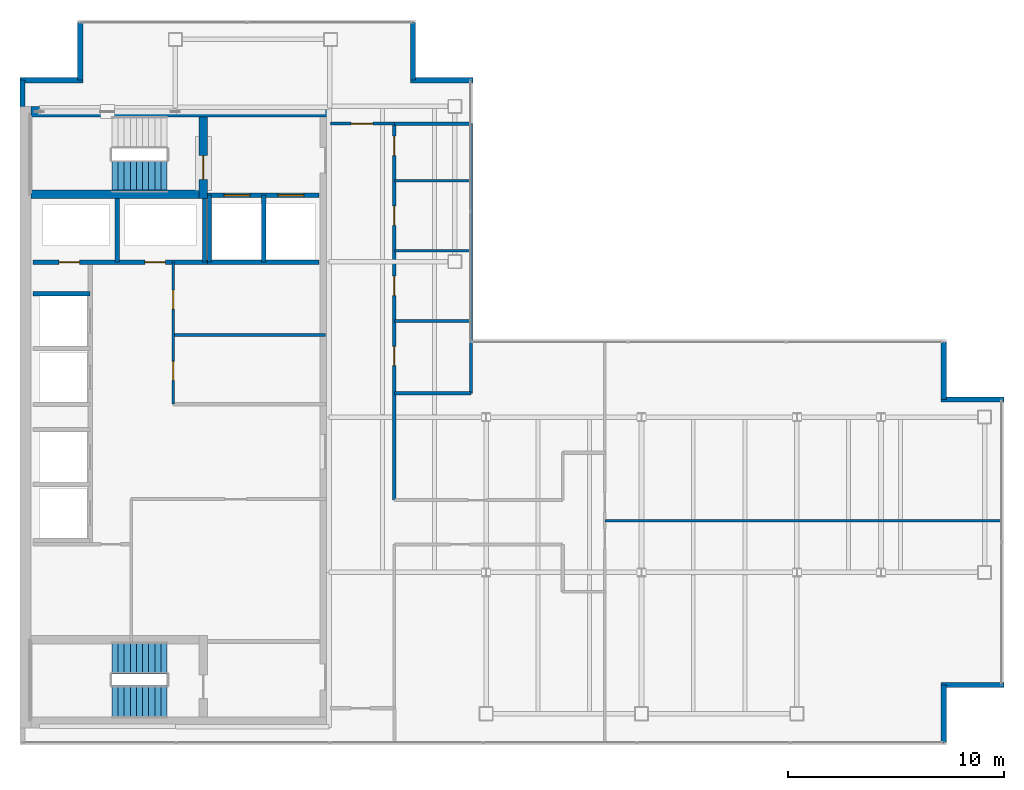
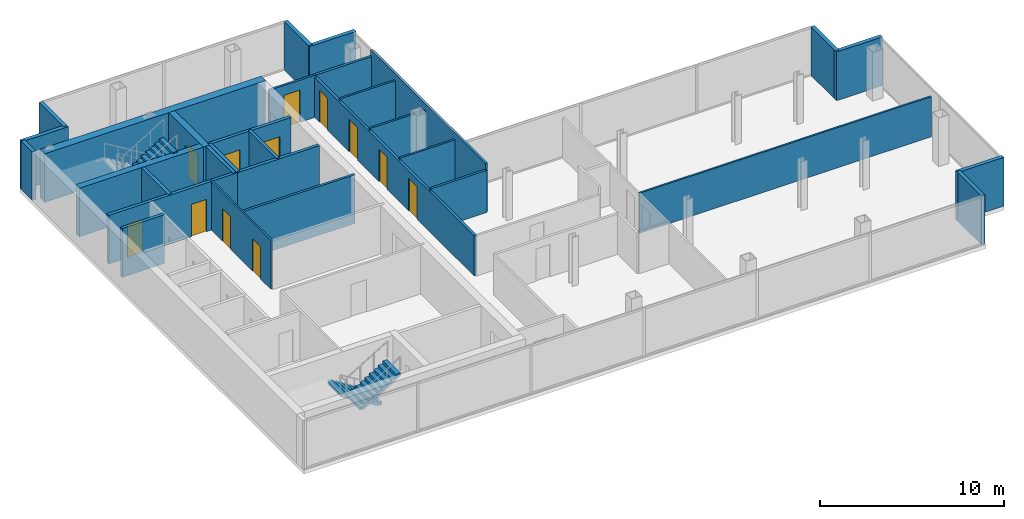
# One storey, part 21 of 23: 31 walls, 12 doors, 3 stair flights, 12 openings, 2 elements without a shape of their own.
"""IFC4 building model written with IfcOpenShell, lengths in metres."""

from ifc_helpers import new_model, si_unit, direction, frame, frame_2d, origin, place, context, subcontext, project, spatial, polyline, rectangle, outline, extrude, material, layer, layer_set, type_object, element, fill, aggregate, save


model = new_model("IFC4")

# Units and contexts
model_context = context("Model", 3, precision=1e-05, world=origin(), true_north=direction((0.0, 1.0)))
body_context = subcontext(model_context, "Body", "Model", "MODEL_VIEW")
ifc_project = project(units=[si_unit("LENGTHUNIT", "METRE"), si_unit("AREAUNIT", "SQUARE_METRE"), si_unit("VOLUMEUNIT", "CUBIC_METRE"), si_unit("PLANEANGLEUNIT", "RADIAN"), si_unit("MASSUNIT", "GRAM", prefix="KILO")], contexts=[model_context])

# Site, building, storey
site_placement = place(None, origin())
site = spatial("IfcSite", under=ifc_project, at=site_placement, CompositionType="ELEMENT")
building_placement = place(site_placement, origin())
building = spatial("IfcBuilding", under=site, at=building_placement, Name="Cobrela Telecom Tower", CompositionType="ELEMENT")
storey_placement = place(building_placement, frame((0.0, 0.0, 283.14990234375)))
storey = spatial("IfcBuildingStorey", under=building, at=storey_placement, Name="L74", CompositionType="ELEMENT", Elevation=283.14990234375)

# Walls
ifc_material_1 = material(Name="Concrete C40/50", Category="concrete")
ifc_layer_1 = layer(ifc_material_1, 0.5)
ifc_layer_set_1 = layer_set([ifc_layer_1], Name="Concrete C40/50")
wall_type_1 = type_object("IfcWallType", Name="WALL-CORE-C40-500", PredefinedType="SHEAR", material=ifc_layer_set_1)
wall_1_placement = place(storey_placement, frame((0.5, 35.75, 0.0), z_axis=(0.0, 0.0, 1.0), x_axis=(1.0, 0.0, 0.0)))
element("IfcWall", 1, at=wall_1_placement, inside=storey, type_object=wall_type_1, Name="L74 North Core Shear Wall", PredefinedType="SHEAR", context=body_context, shape_type="SweptSolid", body=[
    extrude(rectangle(XDim=13.89990234375, YDim=0.5, at=frame_2d((6.949951171875, 0.0))), origin(), (0.0, 0.0, 1.0), 3.239990234375),
])
ifc_layer_2 = layer(ifc_material_1, 0.239990234375)
ifc_layer_set_2 = layer_set([ifc_layer_2], Name="Concrete C40/50")
wall_type_2 = type_object("IfcWallType", Name="WALL-EXT-300", PredefinedType="STANDARD", material=ifc_layer_set_2)
wall_2_placement = place(storey_placement, frame((0.1201171875, 36.0, 0.0), z_axis=(0.0, 0.0, 1.0), x_axis=(0.0, 1.0, 0.0)))
element("IfcWall", 2, at=wall_2_placement, inside=storey, type_object=wall_type_2, Name="L74 Insulated Facade Wall 02", PredefinedType="STANDARD", context=body_context, shape_type="SweptSolid", body=[
    extrude(rectangle(XDim=1.2099609375, YDim=0.239990234375, at=frame_2d((0.60498046875, 0.0))), origin(), (0.0, 0.0, 1.0), 3.239990234375),
])
wall_3_placement = place(storey_placement, frame((0.0, 37.2099609375, 0.0), z_axis=(0.0, 0.0, 1.0), x_axis=(1.0, 0.0, 0.0)))
element("IfcWall", 3, at=wall_3_placement, inside=storey, type_object=wall_type_2, Name="L74 Insulated Facade Wall 03", PredefinedType="STANDARD", context=body_context, shape_type="SweptSolid", body=[
    extrude(rectangle(XDim=2.909912109375, YDim=0.239990234375, at=frame_2d((1.455078125, 0.0))), origin(), (0.0, 0.0, 1.0), 3.239990234375),
])
for number, where, z_axis, x_axis, name in (
    (4, (2.7900390625, 37.2099609375, 0.0), (0.0, 0.0, 1.0), (0.0, 1.0, 0.0), "L74 Insulated Facade Wall 04"),
    (5, (18.2099609375, 39.8798828125, 0.0), (0.0, 0.0, 1.0), (0.0, -1.0, 0.0), "L74 Insulated Facade Wall 06"),
):
    element("IfcWall", number, at=place(storey_placement, frame(where, z_axis=z_axis, x_axis=x_axis)), inside=storey, type_object=wall_type_2, Name=name, PredefinedType="STANDARD", context=body_context, shape_type="SweptSolid", body=[
        extrude(rectangle(XDim=2.669921875, YDim=0.239990234375, at=frame_2d((1.3349609375, 0.0))), origin(), (0.0, 0.0, 1.0), 3.239990234375),
    ])
wall_4_placement = place(storey_placement, frame((18.090087890625, 37.2099609375, 0.0), z_axis=(0.0, 0.0, 1.0), x_axis=(1.0, 0.0, 0.0)))
element("IfcWall", 6, at=wall_4_placement, inside=storey, type_object=wall_type_2, Name="L74 Insulated Facade Wall 07", PredefinedType="STANDARD", context=body_context, shape_type="SweptSolid", body=[
    extrude(rectangle(XDim=2.909912109375, YDim=0.239990234375, at=frame_2d((1.455078125, 0.0))), origin(), (0.0, 0.0, 1.0), 3.239990234375),
])
wall_5_placement = place(storey_placement, frame((42.81005859375, 25.080078125, 0.0), z_axis=(0.0, 0.0, 1.0), x_axis=(0.0, -1.0, 0.0)))
element("IfcWall", 7, at=wall_5_placement, inside=storey, type_object=wall_type_2, Name="L74 Insulated Facade Wall 10", PredefinedType="STANDARD", context=body_context, shape_type="SweptSolid", body=[
    extrude(rectangle(XDim=2.670166015625, YDim=0.239990234375, at=frame_2d((1.3349609375, 0.0))), origin(), (0.0, 0.0, 1.0), 3.239990234375),
])
for number, where, z_axis, x_axis, name in (
    (8, (42.68994140625, 22.409912109375, 0.0), (0.0, 0.0, 1.0), (1.0, 0.0, 0.0), "L74 Insulated Facade Wall 11"),
    (9, (45.60009765625, 9.18994140625, 0.0), (0.0, 0.0, 1.0), (-1.0, 0.0, 0.0), "L74 Insulated Facade Wall 13"),
):
    element("IfcWall", number, at=place(storey_placement, frame(where, z_axis=z_axis, x_axis=x_axis)), inside=storey, type_object=wall_type_2, Name=name, PredefinedType="STANDARD", context=body_context, shape_type="SweptSolid", body=[
        extrude(rectangle(XDim=2.91015625, YDim=0.239990234375, at=frame_2d((1.455078125, 0.0))), origin(), (0.0, 0.0, 1.0), 3.239990234375),
    ])
wall_6_placement = place(storey_placement, frame((42.81005859375, 9.18994140625, 0.0), z_axis=(0.0, 0.0, 1.0), x_axis=(0.0, -1.0, 0.0)))
element("IfcWall", 10, at=wall_6_placement, inside=storey, type_object=wall_type_2, Name="L74 Insulated Facade Wall 14", PredefinedType="STANDARD", context=body_context, shape_type="SweptSolid", body=[
    extrude(rectangle(XDim=2.669921875, YDim=0.239990234375, at=frame_2d((1.3349609375, 0.0))), origin(), (0.0, 0.0, 1.0), 3.239990234375),
])

# Wall, openings, doors
ifc_material_2 = material(Name="Fire-Rated Gypsum Plasterboard")
ifc_layer_3 = layer(ifc_material_2, 0.110107421875)
ifc_layer_set_3 = layer_set([ifc_layer_3], Name="Fire-Rated Gypsum Plasterboard")
wall_type_3 = type_object("IfcWallType", Name="WALL-PART-110", PredefinedType="PARTITIONING", material=ifc_layer_set_3)
wall_7_placement = place(storey_placement, frame((7.10009765625, 22.199951171875, 0.0), z_axis=(0.0, 0.0, 1.0), x_axis=(0.0, 1.0, 0.0)))
wall_7 = element("IfcWall", 11, at=wall_7_placement, inside=storey, type_object=wall_type_3, Name="L74 Interior Partition CW-RECL-W", PredefinedType="PARTITIONING", context=body_context, shape_type="SweptSolid", body=[
    extrude(rectangle(XDim=6.580078125, YDim=0.110107421875, at=frame_2d((3.2900390625, 0.0))), origin(), (0.0, 0.0, 1.0), 3.239990234375),
])
opening_1_placement = place(wall_7_placement, frame((1.10009765625, 0.0, 0.0)))
opening_1 = element("IfcOpeningElement", 12, at=opening_1_placement, cuts=wall_7, Name="Opening DR-39", PredefinedType="OPENING", context=body_context, shape_type="SweptSolid", body=[
    extrude(rectangle(XDim=0.8798828125, YDim=2.14990234375, at=frame_2d((0.43994140625, 1.074951171875))), frame((0.0, 0.06689453125, 0.0), z_axis=(0.0, -1.0, 0.0), x_axis=(1.0, 0.0, 0.0)), (0.0, 0.0, 1.0), 0.134033203125),
])
opening_2_placement = place(wall_7_placement, frame((4.39990234375, 0.0, 0.0)))
opening_2 = element("IfcOpeningElement", 13, at=opening_2_placement, cuts=wall_7, Name="Opening DR-39", PredefinedType="OPENING", context=body_context, shape_type="SweptSolid", body=[
    extrude(rectangle(XDim=0.8798828125, YDim=2.14990234375, at=frame_2d((0.43994140625, 1.074951171875))), frame((0.0, 0.06689453125, 0.0), z_axis=(0.0, -1.0, 0.0), x_axis=(1.0, 0.0, 0.0)), (0.0, 0.0, 1.0), 0.134033203125),
])
ifc_material_3 = material(Name="Solid Engineered Oak Timber", Category="wood")
door_type_1 = type_object("IfcDoorType", Name="DOOR-INT-880", OperationType="SINGLE_SWING_LEFT", PredefinedType="DOOR", material=ifc_material_3)
door_1_placement = place(opening_1_placement, origin())
door_1 = element("IfcDoor", 14, at=door_1_placement, inside=storey, type_object=door_type_1, Name="L74 Door DR-39", OperationType="SINGLE_SWING_RIGHT", OverallHeight=2.14990234375, OverallWidth=0.8798828125, PredefinedType="DOOR", context=body_context, shape_type="SweptSolid", body=[
    extrude(rectangle(XDim=0.8798828125, YDim=2.14990234375, at=frame_2d((0.43994140625, 1.074951171875))), frame((0.0, 0.02490234375, 0.0), z_axis=(0.0, -1.0, 0.0), x_axis=(1.0, 0.0, 0.0)), (0.0, 0.0, 1.0), 0.050048828125),
])
fill(opening_1, door_1)
door_2_placement = place(opening_2_placement, origin())
door_2 = element("IfcDoor", 15, at=door_2_placement, inside=storey, type_object=door_type_1, Name="L74 Door DR-39", OperationType="SINGLE_SWING_LEFT", OverallHeight=2.14990234375, OverallWidth=0.8798828125, PredefinedType="DOOR", context=body_context, shape_type="SweptSolid", body=[
    extrude(rectangle(XDim=0.8798828125, YDim=2.14990234375, at=frame_2d((0.43994140625, 1.074951171875))), frame((0.0, 0.02490234375, 0.0), z_axis=(0.0, -1.0, 0.0), x_axis=(1.0, 0.0, 0.0)), (0.0, 0.0, 1.0), 0.050048828125),
])
fill(opening_2, door_2)

# Walls
wall_8_placement = place(storey_placement, frame((27.10009765625, 16.800048828125, 0.0), z_axis=(0.0, 0.0, 1.0), x_axis=(1.0, 0.0, 0.0)))
element("IfcWall", 16, at=wall_8_placement, inside=storey, type_object=wall_type_3, Name="L74 Interior Partition W-FE-H", PredefinedType="PARTITIONING", context=body_context, shape_type="SweptSolid", body=[
    extrude(rectangle(XDim=18.3798828125, YDim=0.110107421875, at=frame_2d((9.18994140625, 0.0))), origin(), (0.0, 0.0, 1.0), 2.676025390625),
])
ifc_layer_4 = layer(ifc_material_2, 0.125)
ifc_layer_set_4 = layer_set([ifc_layer_4], Name="Fire-Rated Gypsum Plasterboard")
wall_type_4 = type_object("IfcWallType", Name="WALL-PART-125", PredefinedType="PARTITIONING", material=ifc_layer_set_4)
for number, where, z_axis, x_axis, name in (
    (17, (17.35009765625, 26.050048828125, 0.0), (0.0, 0.0, 1.0), (1.0, 0.0, 0.0), "L74 Interior Partition W-WCD-1"),
    (18, (17.35009765625, 29.300048828125, 0.0), (0.0, 0.0, 1.0), (1.0, 0.0, 0.0), "L74 Interior Partition W-WCD-2"),
    (19, (17.35009765625, 32.550048828125, 0.0), (0.0, 0.0, 1.0), (1.0, 0.0, 0.0), "L74 Interior Partition W-WCD-3"),
):
    element("IfcWall", number, at=place(storey_placement, frame(where, z_axis=z_axis, x_axis=x_axis)), inside=storey, type_object=wall_type_4, Name=name, PredefinedType="PARTITIONING", context=body_context, shape_type="SweptSolid", body=[
        extrude(rectangle(XDim=3.5498046875, YDim=0.125, at=frame_2d((1.77490234375, 0.0))), origin(), (0.0, 0.0, 1.0), 2.80810546875),
    ])

# Wall, opening, door
ifc_layer_5 = layer(ifc_material_2, 0.135009765625)
ifc_layer_set_5 = layer_set([ifc_layer_5], Name="Fire-Rated Gypsum Plasterboard")
wall_type_5 = type_object("IfcWallType", Name="WALL-PART-135", PredefinedType="PARTITIONING", material=ifc_layer_set_5)
wall_9_placement = place(storey_placement, frame((14.39990234375, 35.199951171875, 0.0), z_axis=(0.0, 0.0, 1.0), x_axis=(1.0, 0.0, 0.0)))
wall_9 = element("IfcWall", 20, at=wall_9_placement, inside=storey, type_object=wall_type_5, Name="L74 Interior Partition W-C-N0", PredefinedType="PARTITIONING", context=body_context, shape_type="SweptSolid", body=[
    extrude(rectangle(XDim=2.9501953125, YDim=0.135009765625, at=frame_2d((1.47509765625, 0.0))), origin(), (0.0, 0.0, 1.0), 2.80810546875),
])
opening_3_placement = place(wall_9_placement, frame((0.949951171875, 0.0, 0.0)))
opening_3 = element("IfcOpeningElement", 21, at=opening_3_placement, cuts=wall_9, Name="Opening DR-31", PredefinedType="OPENING", context=body_context, shape_type="SweptSolid", body=[
    extrude(rectangle(XDim=1.0, YDim=2.14990234375, at=frame_2d((0.5, 1.074951171875))), frame((0.0, 0.07958984375, 0.0), z_axis=(0.0, -1.0, 0.0), x_axis=(1.0, 0.0, 0.0)), (0.0, 0.0, 1.0), 0.158935546875),
])
door_type_2 = type_object("IfcDoorType", Name="DOOR-INT-1000", OperationType="SINGLE_SWING_LEFT", PredefinedType="DOOR", material=ifc_material_3)
door_3_placement = place(opening_3_placement, origin())
door_3 = element("IfcDoor", 22, at=door_3_placement, inside=storey, type_object=door_type_2, Name="L74 Door DR-31", OperationType="SINGLE_SWING_LEFT", OverallHeight=2.14990234375, OverallWidth=1.0, PredefinedType="DOOR", context=body_context, shape_type="SweptSolid", body=[
    extrude(rectangle(XDim=1.0, YDim=2.14990234375, at=frame_2d((0.5, 1.074951171875))), frame((0.0, 0.02490234375, 0.0), z_axis=(0.0, -1.0, 0.0), x_axis=(1.0, 0.0, 0.0)), (0.0, 0.0, 1.0), 0.050048828125),
])
fill(opening_3, door_3)

# Walls
wall_10_placement = place(storey_placement, frame((20.89990234375, 22.699951171875, 0.0), z_axis=(0.0, 0.0, 1.0), x_axis=(0.0, 1.0, 0.0)))
element("IfcWall", 23, at=wall_10_placement, inside=storey, type_object=wall_type_5, Name="L74 Interior Partition W-WC-E", PredefinedType="PARTITIONING", context=body_context, shape_type="SweptSolid", body=[
    extrude(rectangle(XDim=12.5, YDim=0.135009765625, at=frame_2d((6.25, 0.0))), origin(), (0.0, 0.0, 1.0), 3.239990234375),
])
ifc_layer_6 = layer(ifc_material_2, 0.14990234375)
ifc_layer_set_6 = layer_set([ifc_layer_6], Name="Fire-Rated Gypsum Plasterboard")
wall_type_6 = type_object("IfcWallType", Name="WALL-PART-150", PredefinedType="PARTITIONING", material=ifc_layer_set_6)
wall_11_placement = place(storey_placement, frame((7.10009765625, 25.39990234375, 0.0), z_axis=(0.0, 0.0, 1.0), x_axis=(1.0, 0.0, 0.0)))
element("IfcWall", 24, at=wall_11_placement, inside=storey, type_object=wall_type_6, Name="L74 Interior Partition CW-RECL-H", PredefinedType="PARTITIONING", context=body_context, shape_type="SweptSolid", body=[
    extrude(rectangle(XDim=7.0498046875, YDim=0.14990234375, at=frame_2d((3.52490234375, 0.0))), origin(), (0.0, 0.0, 1.0), 3.239990234375),
])
wall_12_placement = place(storey_placement, frame((17.35009765625, 22.699951171875, 0.0), z_axis=(0.0, 0.0, 1.0), x_axis=(1.0, 0.0, 0.0)))
element("IfcWall", 25, at=wall_12_placement, inside=storey, type_object=wall_type_6, Name="L74 Interior Partition W-WC-S", PredefinedType="PARTITIONING", context=body_context, shape_type="SweptSolid", body=[
    extrude(rectangle(XDim=3.5498046875, YDim=0.14990234375, at=frame_2d((1.77490234375, 0.0))), origin(), (0.0, 0.0, 1.0), 2.80810546875),
])

# Wall, openings, doors
ifc_layer_7 = layer(ifc_material_2, 0.159912109375)
ifc_layer_set_7 = layer_set([ifc_layer_7], Name="Fire-Rated Gypsum Plasterboard")
wall_type_7 = type_object("IfcWallType", Name="WALL-PART-160", PredefinedType="PARTITIONING", material=ifc_layer_set_7)
wall_13_placement = place(storey_placement, frame((17.35009765625, 17.75, 0.0), z_axis=(0.0, 0.0, 1.0), x_axis=(0.0, 1.0, 0.0)))
wall_13 = element("IfcWall", 26, at=wall_13_placement, inside=storey, type_object=wall_type_7, Name="L74 Interior Partition W-C-E2", PredefinedType="PARTITIONING", context=body_context, shape_type="SweptSolid", body=[
    extrude(rectangle(XDim=17.449951171875, YDim=0.159912109375, at=frame_2d((8.72509765625, 0.0))), origin(), (0.0, 0.0, 1.0), 2.676025390625),
])
opening_4_placement = place(wall_13_placement, frame((6.22998046875, 0.0, 0.0)))
opening_4 = element("IfcOpeningElement", 27, at=opening_4_placement, cuts=wall_13, Name="Opening DR-41", PredefinedType="OPENING", context=body_context, shape_type="SweptSolid", body=[
    extrude(rectangle(XDim=0.89990234375, YDim=2.14990234375, at=frame_2d((0.449951171875, 1.074951171875))), frame((0.0, 0.091796875, 0.0), z_axis=(0.0, -1.0, 0.0), x_axis=(1.0, 0.0, 0.0)), (0.0, 0.0, 1.0), 0.183837890625),
])
opening_5_placement = place(wall_13_placement, frame((9.47998046875, 0.0, 0.0)))
opening_5 = element("IfcOpeningElement", 28, at=opening_5_placement, cuts=wall_13, Name="Opening DR-41", PredefinedType="OPENING", context=body_context, shape_type="SweptSolid", body=[
    extrude(rectangle(XDim=0.89990234375, YDim=2.14990234375, at=frame_2d((0.449951171875, 1.074951171875))), frame((0.0, 0.091796875, 0.0), z_axis=(0.0, -1.0, 0.0), x_axis=(1.0, 0.0, 0.0)), (0.0, 0.0, 1.0), 0.183837890625),
])
opening_6_placement = place(wall_13_placement, frame((12.72998046875, 0.0, 0.0)))
opening_6 = element("IfcOpeningElement", 29, at=opening_6_placement, cuts=wall_13, Name="Opening DR-41", PredefinedType="OPENING", context=body_context, shape_type="SweptSolid", body=[
    extrude(rectangle(XDim=0.89990234375, YDim=2.14990234375, at=frame_2d((0.449951171875, 1.074951171875))), frame((0.0, 0.091796875, 0.0), z_axis=(0.0, -1.0, 0.0), x_axis=(1.0, 0.0, 0.0)), (0.0, 0.0, 1.0), 0.183837890625),
])
opening_7_placement = place(wall_13_placement, frame((15.969970703125, 0.0, 0.0)))
opening_7 = element("IfcOpeningElement", 30, at=opening_7_placement, cuts=wall_13, Name="Opening DR-41", PredefinedType="OPENING", context=body_context, shape_type="SweptSolid", body=[
    extrude(rectangle(XDim=0.89990234375, YDim=2.14990234375, at=frame_2d((0.449951171875, 1.074951171875))), frame((0.0, 0.091796875, 0.0), z_axis=(0.0, -1.0, 0.0), x_axis=(1.0, 0.0, 0.0)), (0.0, 0.0, 1.0), 0.183837890625),
])
door_type_3 = type_object("IfcDoorType", Name="DOOR-INT-900", OperationType="SINGLE_SWING_LEFT", PredefinedType="DOOR", material=ifc_material_3)
door_4_placement = place(opening_4_placement, origin())
door_4 = element("IfcDoor", 31, at=door_4_placement, inside=storey, type_object=door_type_3, Name="L74 Door DR-41", OperationType="SINGLE_SWING_LEFT", OverallHeight=2.14990234375, OverallWidth=0.89990234375, PredefinedType="DOOR", context=body_context, shape_type="SweptSolid", body=[
    extrude(rectangle(XDim=0.89990234375, YDim=2.14990234375, at=frame_2d((0.449951171875, 1.074951171875))), frame((0.0, 0.02490234375, 0.0), z_axis=(0.0, -1.0, 0.0), x_axis=(1.0, 0.0, 0.0)), (0.0, 0.0, 1.0), 0.050048828125),
])
fill(opening_4, door_4)
door_5_placement = place(opening_5_placement, origin())
door_5 = element("IfcDoor", 32, at=door_5_placement, inside=storey, type_object=door_type_3, Name="L74 Door DR-41", OperationType="SINGLE_SWING_RIGHT", OverallHeight=2.14990234375, OverallWidth=0.89990234375, PredefinedType="DOOR", context=body_context, shape_type="SweptSolid", body=[
    extrude(rectangle(XDim=0.89990234375, YDim=2.14990234375, at=frame_2d((0.449951171875, 1.074951171875))), frame((0.0, 0.02490234375, 0.0), z_axis=(0.0, -1.0, 0.0), x_axis=(1.0, 0.0, 0.0)), (0.0, 0.0, 1.0), 0.050048828125),
])
fill(opening_5, door_5)
door_6_placement = place(opening_6_placement, origin())
door_6 = element("IfcDoor", 33, at=door_6_placement, inside=storey, type_object=door_type_3, Name="L74 Door DR-41", OperationType="SINGLE_SWING_LEFT", OverallHeight=2.14990234375, OverallWidth=0.89990234375, PredefinedType="DOOR", context=body_context, shape_type="SweptSolid", body=[
    extrude(rectangle(XDim=0.89990234375, YDim=2.14990234375, at=frame_2d((0.449951171875, 1.074951171875))), frame((0.0, 0.02490234375, 0.0), z_axis=(0.0, -1.0, 0.0), x_axis=(1.0, 0.0, 0.0)), (0.0, 0.0, 1.0), 0.050048828125),
])
fill(opening_6, door_6)
door_7_placement = place(opening_7_placement, origin())
door_7 = element("IfcDoor", 34, at=door_7_placement, inside=storey, type_object=door_type_3, Name="L74 Door DR-41", OperationType="SINGLE_SWING_RIGHT", OverallHeight=2.14990234375, OverallWidth=0.89990234375, PredefinedType="DOOR", context=body_context, shape_type="SweptSolid", body=[
    extrude(rectangle(XDim=0.89990234375, YDim=2.14990234375, at=frame_2d((0.449951171875, 1.074951171875))), frame((0.0, 0.02490234375, 0.0), z_axis=(0.0, -1.0, 0.0), x_axis=(1.0, 0.0, 0.0)), (0.0, 0.0, 1.0), 0.050048828125),
])
fill(opening_7, door_7)

# Wall
wall_14_placement = place(storey_placement, frame((17.35009765625, 35.199951171875, 0.0), z_axis=(0.0, 0.0, 1.0), x_axis=(1.0, 0.0, 0.0)))
element("IfcWall", 35, at=wall_14_placement, inside=storey, type_object=wall_type_7, Name="L74 Interior Partition W-NW-S", PredefinedType="PARTITIONING", context=body_context, shape_type="SweptSolid", body=[
    extrude(rectangle(XDim=3.52978515625, YDim=0.159912109375, at=frame_2d((1.764892578125, 0.0))), origin(), (0.0, 0.0, 1.0), 2.80810546875),
])

# Wall, openings, doors
ifc_layer_8 = layer(ifc_material_2, 0.199951171875)
ifc_layer_set_8 = layer_set([ifc_layer_8], Name="Fire-Rated Gypsum Plasterboard")
wall_type_8 = type_object("IfcWallType", Name="WALL-SHAFT-200", PredefinedType="PARTITIONING", material=ifc_layer_set_8)
wall_15_placement = place(storey_placement, frame((8.699951171875, 31.8798828125, 0.0), z_axis=(0.0, 0.0, 1.0), x_axis=(1.0, 0.0, 0.0)))
wall_15 = element("IfcWall", 36, at=wall_15_placement, inside=storey, type_object=wall_type_8, Name="L74 Shaft Enclosure CW-FFL-S", PredefinedType="PARTITIONING", context=body_context, shape_type="SweptSolid", body=[
    extrude(rectangle(XDim=5.150146484375, YDim=0.199951171875, at=frame_2d((2.5751953125, 0.0))), origin(), (0.0, 0.0, 1.0), 3.239990234375),
])
opening_8_placement = place(wall_15_placement, frame((0.75, 0.0, 0.0)))
opening_8 = element("IfcOpeningElement", 37, at=opening_8_placement, cuts=wall_15, Name="Opening LD-2", PredefinedType="OPENING", context=body_context, shape_type="SweptSolid", body=[
    extrude(rectangle(XDim=1.199951171875, YDim=2.199951171875, at=frame_2d((0.60009765625, 1.10009765625))), frame((0.0, 0.11181640625, 0.0), z_axis=(0.0, -1.0, 0.0), x_axis=(1.0, 0.0, 0.0)), (0.0, 0.0, 1.0), 0.223876953125),
])
opening_9_placement = place(wall_15_placement, frame((3.25, 0.0, 0.0)))
opening_9 = element("IfcOpeningElement", 38, at=opening_9_placement, cuts=wall_15, Name="Opening LD-2", PredefinedType="OPENING", context=body_context, shape_type="SweptSolid", body=[
    extrude(rectangle(XDim=1.199951171875, YDim=2.199951171875, at=frame_2d((0.60009765625, 1.10009765625))), frame((0.0, 0.11181640625, 0.0), z_axis=(0.0, -1.0, 0.0), x_axis=(1.0, 0.0, 0.0)), (0.0, 0.0, 1.0), 0.223876953125),
])
ifc_material_4 = material(Name="Steel ASTM A36", Category="steel")
door_type_4 = type_object("IfcDoorType", Name="DOOR-LD-FFL", OperationType="SINGLE_SWING_LEFT", PredefinedType="DOOR", material=ifc_material_4)
door_8_placement = place(opening_8_placement, origin())
door_8 = element("IfcDoor", 39, at=door_8_placement, inside=storey, type_object=door_type_4, Name="L74 Lift Landing Door LD-2", OperationType="DOUBLE_DOOR_SLIDING", OverallHeight=2.199951171875, OverallWidth=1.199951171875, PredefinedType="DOOR", context=body_context, shape_type="SweptSolid", body=[
    extrude(rectangle(XDim=1.199951171875, YDim=2.199951171875, at=frame_2d((0.60009765625, 1.10009765625))), frame((0.0, 0.02490234375, 0.0), z_axis=(0.0, -1.0, 0.0), x_axis=(1.0, 0.0, 0.0)), (0.0, 0.0, 1.0), 0.050048828125),
])
fill(opening_8, door_8)
door_9_placement = place(opening_9_placement, origin())
door_9 = element("IfcDoor", 40, at=door_9_placement, inside=storey, type_object=door_type_4, Name="L74 Lift Landing Door LD-2", OperationType="DOUBLE_DOOR_SLIDING", OverallHeight=2.199951171875, OverallWidth=1.199951171875, PredefinedType="DOOR", context=body_context, shape_type="SweptSolid", body=[
    extrude(rectangle(XDim=1.199951171875, YDim=2.199951171875, at=frame_2d((0.60009765625, 1.10009765625))), frame((0.0, 0.02490234375, 0.0), z_axis=(0.0, -1.0, 0.0), x_axis=(1.0, 0.0, 0.0)), (0.0, 0.0, 1.0), 0.050048828125),
])
fill(opening_9, door_9)

# Walls
wall_16_placement = place(storey_placement, frame((8.699951171875, 28.780029296875, 0.0), z_axis=(0.0, 0.0, 1.0), x_axis=(1.0, 0.0, 0.0)))
element("IfcWall", 41, at=wall_16_placement, inside=storey, type_object=wall_type_8, Name="L74 Shaft Enclosure CW-FFL-S2", PredefinedType="PARTITIONING", context=body_context, shape_type="SweptSolid", body=[
    extrude(rectangle(XDim=5.150146484375, YDim=0.199951171875, at=frame_2d((2.5751953125, 0.0))), origin(), (0.0, 0.0, 1.0), 3.239990234375),
])
for number, where, z_axis, x_axis, name in (
    (42, (8.780029296875, 28.780029296875, 0.0), (0.0, 0.0, 1.0), (0.0, 1.0, 0.0), "L74 Shaft Enclosure CW-FFL-W"),
    (43, (11.300048828125, 28.780029296875, 0.0), (0.0, 0.0, 1.0), (0.0, 1.0, 0.0), "L74 Shaft Enclosure CW-FFL-M"),
):
    element("IfcWall", number, at=place(storey_placement, frame(where, z_axis=z_axis, x_axis=x_axis)), inside=storey, type_object=wall_type_8, Name=name, PredefinedType="PARTITIONING", context=body_context, shape_type="SweptSolid", body=[
        extrude(rectangle(XDim=3.099853515625, YDim=0.199951171875, at=frame_2d((1.5498046875, 0.0))), origin(), (0.0, 0.0, 1.0), 3.239990234375),
    ])

# Wall, openings, doors
wall_17_placement = place(storey_placement, frame((0.60009765625, 28.780029296875, 0.0), z_axis=(0.0, 0.0, 1.0), x_axis=(1.0, 0.0, 0.0)))
wall_17 = element("IfcWall", 44, at=wall_17_placement, inside=storey, type_object=wall_type_8, Name="L74 Shaft Enclosure CW-RIS-S", PredefinedType="PARTITIONING", context=body_context, shape_type="SweptSolid", body=[
    extrude(rectangle(XDim=8.179931640625, YDim=0.199951171875, at=frame_2d((4.08984375, 0.0))), origin(), (0.0, 0.0, 1.0), 3.239990234375),
])
opening_10_placement = place(wall_17_placement, frame((1.2099609375, 0.0, 0.0)))
opening_10 = element("IfcOpeningElement", 45, at=opening_10_placement, cuts=wall_17, Name="Opening DR-65", PredefinedType="OPENING", context=body_context, shape_type="SweptSolid", body=[
    extrude(rectangle(XDim=0.949951171875, YDim=2.14990234375, at=frame_2d((0.47509765625, 1.074951171875))), frame((0.0, 0.11181640625, 0.0), z_axis=(0.0, -1.0, 0.0), x_axis=(1.0, 0.0, 0.0)), (0.0, 0.0, 1.0), 0.223876953125),
])
opening_11_placement = place(wall_17_placement, frame((5.18994140625, 0.0, 0.0)))
opening_11 = element("IfcOpeningElement", 46, at=opening_11_placement, cuts=wall_17, Name="Opening DR-65", PredefinedType="OPENING", context=body_context, shape_type="SweptSolid", body=[
    extrude(rectangle(XDim=0.949951171875, YDim=2.14990234375, at=frame_2d((0.47509765625, 1.074951171875))), frame((0.0, 0.11181640625, 0.0), z_axis=(0.0, -1.0, 0.0), x_axis=(1.0, 0.0, 0.0)), (0.0, 0.0, 1.0), 0.223876953125),
])
door_type_5 = type_object("IfcDoorType", Name="DOOR-FD60-950", OperationType="SINGLE_SWING_LEFT", PredefinedType="DOOR", material=ifc_material_4)
door_10_placement = place(opening_10_placement, origin())
door_10 = element("IfcDoor", 47, at=door_10_placement, inside=storey, type_object=door_type_5, Name="L74 Door DR-65", OperationType="SINGLE_SWING_LEFT", OverallHeight=2.14990234375, OverallWidth=0.949951171875, PredefinedType="DOOR", context=body_context, shape_type="SweptSolid", body=[
    extrude(rectangle(XDim=0.949951171875, YDim=2.14990234375, at=frame_2d((0.47509765625, 1.074951171875))), frame((0.0, 0.02490234375, 0.0), z_axis=(0.0, -1.0, 0.0), x_axis=(1.0, 0.0, 0.0)), (0.0, 0.0, 1.0), 0.050048828125),
])
fill(opening_10, door_10)
door_11_placement = place(opening_11_placement, origin())
door_11 = element("IfcDoor", 48, at=door_11_placement, inside=storey, type_object=door_type_5, Name="L74 Door DR-65", OperationType="SINGLE_SWING_RIGHT", OverallHeight=2.14990234375, OverallWidth=0.949951171875, PredefinedType="DOOR", context=body_context, shape_type="SweptSolid", body=[
    extrude(rectangle(XDim=0.949951171875, YDim=2.14990234375, at=frame_2d((0.47509765625, 1.074951171875))), frame((0.0, 0.02490234375, 0.0), z_axis=(0.0, -1.0, 0.0), x_axis=(1.0, 0.0, 0.0)), (0.0, 0.0, 1.0), 0.050048828125),
])
fill(opening_11, door_11)

# Walls
for number, where, z_axis, x_axis, name in (
    (49, (4.5, 28.780029296875, 0.0), (0.0, 0.0, 1.0), (0.0, 1.0, 0.0), "L74 Shaft Enclosure CW-RIS-M"),
    (50, (8.550048828125, 28.780029296875, 0.0), (0.0, 0.0, 1.0), (0.0, 1.0, 0.0), "L74 Shaft Enclosure CW-RIS-E"),
):
    element("IfcWall", number, at=place(storey_placement, frame(where, z_axis=z_axis, x_axis=x_axis)), inside=storey, type_object=wall_type_8, Name=name, PredefinedType="PARTITIONING", context=body_context, shape_type="SweptSolid", body=[
        extrude(rectangle(XDim=2.93994140625, YDim=0.199951171875, at=frame_2d((1.469970703125, 0.0))), origin(), (0.0, 0.0, 1.0), 3.239990234375),
    ])
wall_18_placement = place(storey_placement, frame((0.60009765625, 27.320068359375, 0.0), z_axis=(0.0, 0.0, 1.0), x_axis=(1.0, 0.0, 0.0)))
element("IfcWall", 51, at=wall_18_placement, inside=storey, type_object=wall_type_8, Name="L74 Shaft Enclosure CW-PLH-TOP", PredefinedType="PARTITIONING", context=body_context, shape_type="SweptSolid", body=[
    extrude(rectangle(XDim=2.64990234375, YDim=0.199951171875, at=frame_2d((1.324951171875, 0.0))), origin(), (0.0, 0.0, 1.0), 3.239990234375),
])
ifc_layer_9 = layer(ifc_material_1, 0.39990234375)
ifc_layer_set_9 = layer_set([ifc_layer_9], Name="Concrete C40/50")
wall_type_9 = type_object("IfcWallType", Name="WALL-SHAFT-C40-400", PredefinedType="SHEAR", material=ifc_layer_set_9)
wall_19_placement = place(storey_placement, frame((0.5, 31.919921875, 0.0), z_axis=(0.0, 0.0, 1.0), x_axis=(1.0, 0.0, 0.0)))
element("IfcWall", 52, at=wall_19_placement, inside=storey, type_object=wall_type_9, Name="L74 North Stair Shear Wall", PredefinedType="SHEAR", context=body_context, shape_type="SweptSolid", body=[
    extrude(rectangle(XDim=7.800048828125, YDim=0.39990234375, at=frame_2d((3.89990234375, 0.0))), origin(), (0.0, 0.0, 1.0), 3.239990234375),
])

# Wall, opening, door
wall_20_placement = place(storey_placement, frame((8.5, 31.719970703125, 0.0), z_axis=(0.0, 0.0, 1.0), x_axis=(0.0, 1.0, 0.0)))
wall_20 = element("IfcWall", 53, at=wall_20_placement, inside=storey, type_object=wall_type_9, Name="L74 North Stair Lobby Shear Wall", PredefinedType="SHEAR", context=body_context, shape_type="SweptSolid", body=[
    extrude(rectangle(XDim=3.780029296875, YDim=0.39990234375, at=frame_2d((1.89013671875, 0.0))), origin(), (0.0, 0.0, 1.0), 3.239990234375),
])
opening_12_placement = place(wall_20_placement, frame((0.89990234375, 0.0, 0.0)))
opening_12 = element("IfcOpeningElement", 54, at=opening_12_placement, cuts=wall_20, Name="Opening DR-59", PredefinedType="OPENING", context=body_context, shape_type="SweptSolid", body=[
    extrude(rectangle(XDim=1.10009765625, YDim=2.14990234375, at=frame_2d((0.550048828125, 1.074951171875))), frame((0.0, 0.2119140625, 0.0), z_axis=(0.0, -1.0, 0.0), x_axis=(1.0, 0.0, 0.0)), (0.0, 0.0, 1.0), 0.423828125),
])
door_type_6 = type_object("IfcDoorType", Name="DOOR-FD60-1100", OperationType="SINGLE_SWING_LEFT", PredefinedType="DOOR", material=ifc_material_4)
door_12_placement = place(opening_12_placement, origin())
door_12 = element("IfcDoor", 55, at=door_12_placement, inside=storey, type_object=door_type_6, Name="L74 Door DR-59", OperationType="SINGLE_SWING_RIGHT", OverallHeight=2.14990234375, OverallWidth=1.10009765625, PredefinedType="DOOR", context=body_context, shape_type="SweptSolid", body=[
    extrude(rectangle(XDim=1.10009765625, YDim=2.14990234375, at=frame_2d((0.550048828125, 1.074951171875))), frame((0.0, 0.02490234375, 0.0), z_axis=(0.0, -1.0, 0.0), x_axis=(1.0, 0.0, 0.0)), (0.0, 0.0, 1.0), 0.050048828125),
])
fill(opening_12, door_12)

# Stair, stair flight
stair_type = type_object("IfcStairType", Name="STAIR-CORE", PredefinedType="HALF_TURN_STAIR", material=ifc_material_1)
stair_1_placement = place(storey_placement, origin())
stair_1 = element("IfcStair", 56, at=stair_1_placement, inside=storey, type_object=stair_type, Name="L74 Smokeproof Exit Stair ST1", PredefinedType="HALF_TURN_STAIR")
stair_flight_type = type_object("IfcStairFlightType", Name="FLIGHT-CORE", PredefinedType="STRAIGHT", material=ifc_material_1)
stair_flight_1_placement = place(storey_placement, frame((4.2548828125, 32.75, 1.75), z_axis=(0.0, 0.0, 1.0), x_axis=(1.0, 0.0, 0.0)))
stair_flight_1 = element("IfcStairFlight", 57, at=stair_flight_1_placement, type_object=stair_flight_type, Name="ST1 flight 2", NumberOfRisers=10, NumberOfTreads=9, PredefinedType="STRAIGHT", RiserHeight=0.175, TreadLength=0.285, context=body_context, shape_type="SweptSolid", body=[
    extrude(outline(polyline([(0.0, 0.0), (0.0, 0.175048828125), (0.284912109375, 0.175048828125), (0.284912109375, 0.35009765625), (0.570068359375, 0.35009765625), (0.570068359375, 0.52490234375), (0.85498046875, 0.52490234375), (0.85498046875, 0.699951171875), (1.139892578125, 0.699951171875), (1.139892578125, 0.875), (1.425048828125, 0.875), (1.425048828125, 1.050048828125), (1.7099609375, 1.050048828125), (1.7099609375, 1.22509765625), (1.9951171875, 1.22509765625), (1.9951171875, 1.39990234375), (2.280029296875, 1.39990234375), (2.280029296875, 1.574951171875), (2.56494140625, 1.574951171875), (2.56494140625, 1.75), (2.56494140625, 1.399169921875), (0.286376953125, 0.0), (0.0, 0.0)])), frame((0.0, 0.75, 0.0), z_axis=(0.0, -1.0, 0.0), x_axis=(1.0, 0.0, 0.0)), (0.0, 0.0, 1.0), 1.5),
])
aggregate(stair_1, [stair_flight_1])

# Stair, stair flights
stair_2_placement = place(storey_placement, origin())
stair_2 = element("IfcStair", 58, at=stair_2_placement, inside=storey, type_object=stair_type, Name="L74 Smokeproof Exit Stair ST2", PredefinedType="HALF_TURN_STAIR")
stair_flight_2_placement = place(storey_placement, frame((6.820068359375, 10.449951171875, 0.0), z_axis=(0.0, 0.0, 1.0), x_axis=(-1.0, 0.0, 0.0)))
stair_flight_2 = element("IfcStairFlight", 59, at=stair_flight_2_placement, type_object=stair_flight_type, Name="ST2 flight 1", NumberOfRisers=10, NumberOfTreads=9, PredefinedType="STRAIGHT", RiserHeight=0.175, TreadLength=0.285, context=body_context, shape_type="SweptSolid", body=[
    extrude(outline(polyline([(0.0, 0.0), (0.0, 0.175048828125), (0.284912109375, 0.175048828125), (0.284912109375, 0.35009765625), (0.570068359375, 0.35009765625), (0.570068359375, 0.52490234375), (0.85498046875, 0.52490234375), (0.85498046875, 0.699951171875), (1.139892578125, 0.699951171875), (1.139892578125, 0.875), (1.425048828125, 0.875), (1.425048828125, 1.050048828125), (1.7099609375, 1.050048828125), (1.7099609375, 1.22509765625), (1.9951171875, 1.22509765625), (1.9951171875, 1.39990234375), (2.280029296875, 1.39990234375), (2.280029296875, 1.574951171875), (2.56494140625, 1.574951171875), (2.56494140625, 1.75), (2.56494140625, 1.399169921875), (0.286376953125, 0.0), (0.0, 0.0)])), frame((0.0, 0.75, 0.0), z_axis=(0.0, -1.0, 0.0), x_axis=(1.0, 0.0, 0.0)), (0.0, 0.0, 1.0), 1.5),
])
stair_flight_3_placement = place(storey_placement, frame((4.2548828125, 8.39990234375, 1.75), z_axis=(0.0, 0.0, 1.0), x_axis=(1.0, 0.0, 0.0)))
stair_flight_3 = element("IfcStairFlight", 60, at=stair_flight_3_placement, type_object=stair_flight_type, Name="ST2 flight 2", NumberOfRisers=10, NumberOfTreads=9, PredefinedType="STRAIGHT", RiserHeight=0.175, TreadLength=0.285, context=body_context, shape_type="SweptSolid", body=[
    extrude(outline(polyline([(0.0, 0.0), (0.0, 0.175048828125), (0.284912109375, 0.175048828125), (0.284912109375, 0.35009765625), (0.570068359375, 0.35009765625), (0.570068359375, 0.52490234375), (0.85498046875, 0.52490234375), (0.85498046875, 0.699951171875), (1.139892578125, 0.699951171875), (1.139892578125, 0.875), (1.425048828125, 0.875), (1.425048828125, 1.050048828125), (1.7099609375, 1.050048828125), (1.7099609375, 1.22509765625), (1.9951171875, 1.22509765625), (1.9951171875, 1.39990234375), (2.280029296875, 1.39990234375), (2.280029296875, 1.574951171875), (2.56494140625, 1.574951171875), (2.56494140625, 1.75), (2.56494140625, 1.399169921875), (0.286376953125, 0.0), (0.0, 0.0)])), frame((0.0, 0.75, 0.0), z_axis=(0.0, -1.0, 0.0), x_axis=(1.0, 0.0, 0.0)), (0.0, 0.0, 1.0), 1.5),
])
aggregate(stair_2, [stair_flight_2, stair_flight_3])

save(model, "model.ifc")
